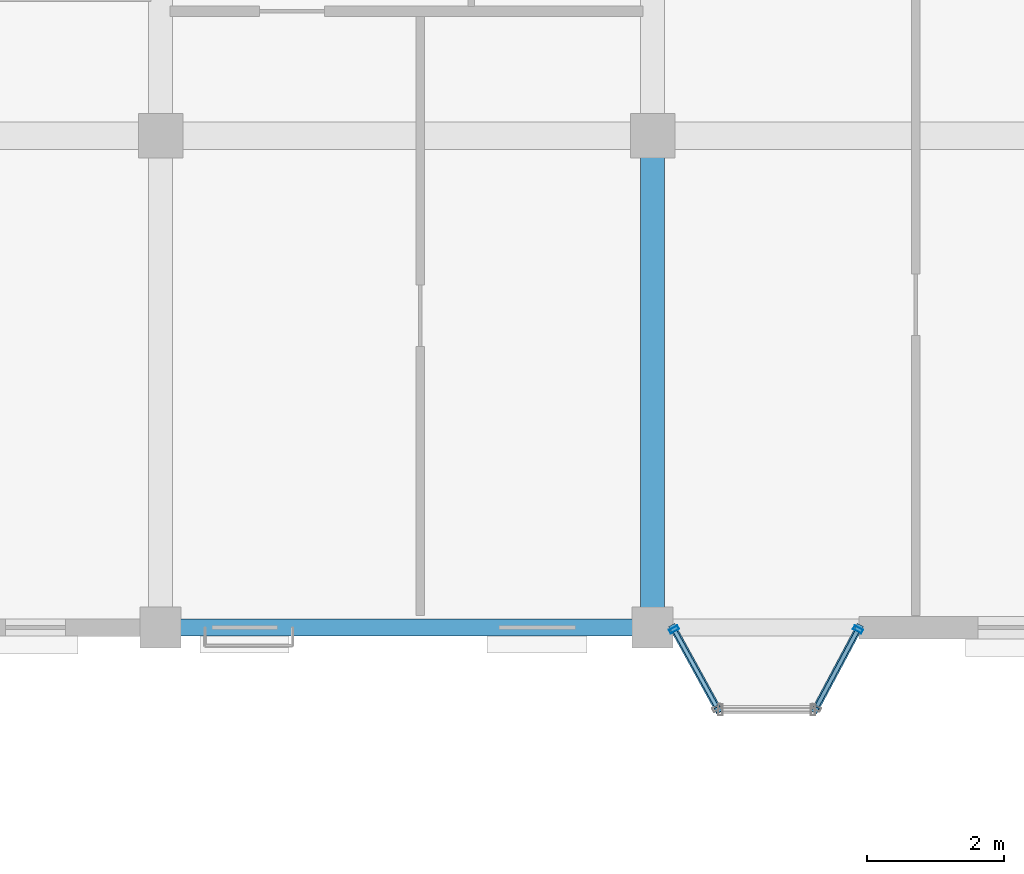
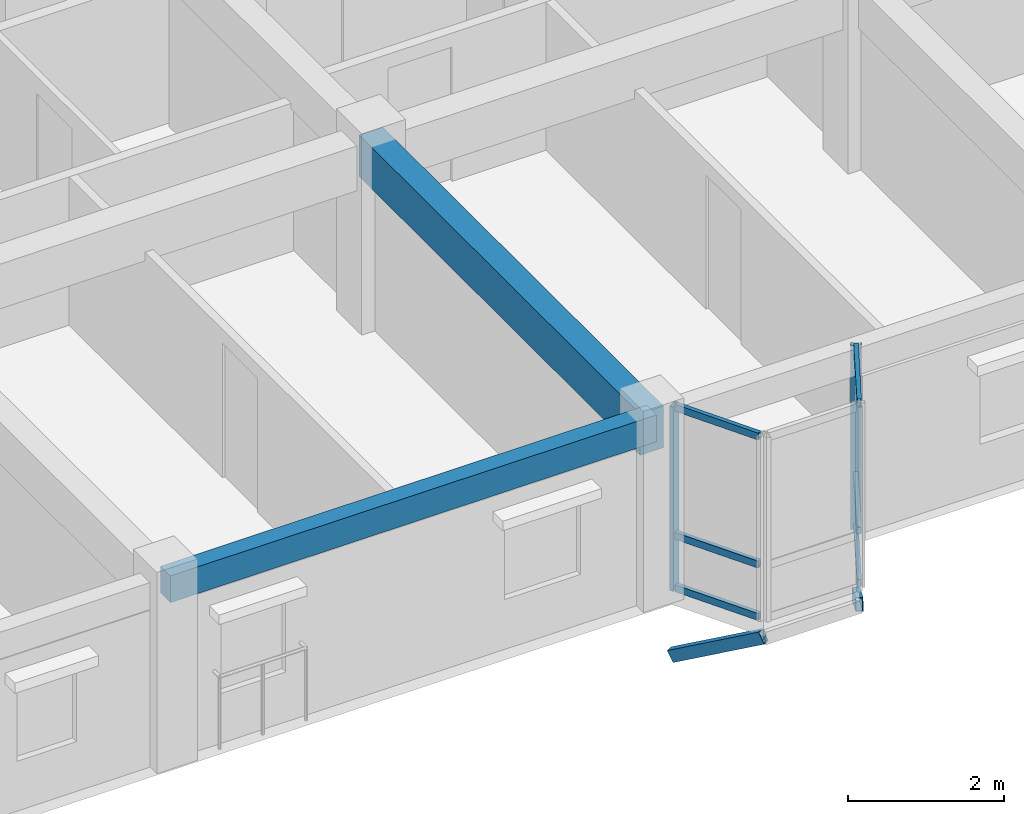
# One storey, part 65 of 124: 10 members, 2 beams, 2 elements without a shape of their own.
"""IFC4 building model written with IfcOpenShell, lengths in metres."""

from ifc_helpers import new_model, si_unit, direction, frame, origin, origin_2d, place, context, subcontext, project, spatial, rectangle, hollow_rectangle, extrude, material, layer, layer_set, material_profile, profile_set, type_object, element, aggregate, save


model = new_model("IFC4")

# Units and contexts
model_context = context("Model", 3, precision=1e-05, world=origin(), true_north=direction((0.0, 1.0)))
body_context = subcontext(model_context, "Body", "Model", "MODEL_VIEW")
ifc_project = project(units=[si_unit("LENGTHUNIT", "METRE"), si_unit("AREAUNIT", "SQUARE_METRE"), si_unit("VOLUMEUNIT", "CUBIC_METRE"), si_unit("PLANEANGLEUNIT", "RADIAN"), si_unit("MASSUNIT", "GRAM", prefix="KILO"), si_unit("THERMODYNAMICTEMPERATUREUNIT", "KELVIN"), si_unit("POWERUNIT", "WATT")], contexts=[model_context])

# Site, building, storey
site_placement = place(None, origin())
site = spatial("IfcSite", under=ifc_project, at=site_placement, CompositionType="ELEMENT")
building_placement = place(site_placement, origin())
building = spatial("IfcBuilding", under=site, at=building_placement, Name="Tavuni Mirador Residences", CompositionType="ELEMENT")
storey_placement = place(building_placement, frame((0.0, 0.0, 7.64990234375)))
storey = spatial("IfcBuildingStorey", under=building, at=storey_placement, Name="L02", CompositionType="ELEMENT", Elevation=7.64990234375)

# Beams
ifc_material_1 = material(Name="Precast concrete C40/50", Category="concrete")
ifc_material_profile_1 = material_profile(ifc_material_1, rectangle(XDim=0.35009765625, YDim=0.64990234375, at=origin_2d()), Name="PC 350x650", Category="concrete")
ifc_profile_set_1 = profile_set([ifc_material_profile_1], Name="Precast concrete C40/50")
beam_type_1 = type_object("IfcBeamType", Name="BT-B650", PredefinedType="BEAM", material=ifc_profile_set_1)
beam_1_placement = place(storey_placement, frame((46.800048828125, 144.0, 2.56005859375), z_axis=(0.0, 1.0, 0.0), x_axis=(-1.0, 0.0, 0.0)))
element("IfcBeam", 1, at=beam_1_placement, inside=storey, type_object=beam_type_1, Name="BMY-BLK-C-L02-05-00", PredefinedType="BEAM", context=body_context, shape_type="SweptSolid", body=[
    extrude(rectangle(XDim=0.35009765625, YDim=0.64990234375, at=origin_2d()), origin(), (0.0, 0.0, 1.0), 7.199951171875),
])
ifc_material_profile_2 = material_profile(ifc_material_1, rectangle(XDim=0.25, YDim=0.419921875, at=origin_2d()), Name="PC 250x420", Category="concrete")
ifc_profile_set_2 = profile_set([ifc_material_profile_2], Name="Precast concrete C40/50")
beam_type_2 = type_object("IfcBeamType", Name="BT-SP420", PredefinedType="SPANDREL", material=ifc_profile_set_2)
beam_2_placement = place(storey_placement, frame((39.60009765625, 144.0, 2.675048828125), z_axis=(1.0, 0.0, 0.0), x_axis=(0.0, 1.0, 0.0)))
element("IfcBeam", 2, at=beam_2_placement, inside=storey, type_object=beam_type_2, Name="BMX-BLK-C-L02-04-00", PredefinedType="SPANDREL", context=body_context, shape_type="SweptSolid", body=[
    extrude(rectangle(XDim=0.25, YDim=0.419921875, at=origin_2d()), origin(), (0.0, 0.0, 1.0), 7.199951171875),
])

# Curtain wall, member
ifc_material_2 = material(Name="Anodised aluminium", Category="aluminium")
ifc_layer_1 = layer(ifc_material_2, 0.175048828125, Name="Anodised aluminium", Category="aluminium")
ifc_layer_set_1 = layer_set([ifc_layer_1], Name="Anodised aluminium")
curtain_wall_type_1 = type_object("IfcCurtainWallType", Name="CWT-MIR-C", PredefinedType="NOTDEFINED", material=ifc_layer_set_1)
curtain_wall_1_placement = place(storey_placement, origin())
curtain_wall_1 = element("IfcCurtainWall", 3, at=curtain_wall_1_placement, inside=storey, type_object=curtain_wall_type_1, Name="CW-MIR-C-S3-L02-M1", PredefinedType="NOTDEFINED")
ifc_material_profile_3 = material_profile(ifc_material_2, hollow_rectangle(XDim=0.06005859375, YDim=0.139892578125, WallThickness=0.00390625, at=origin_2d()), Name="ALU 60x140x4.0", Category="aluminium")
ifc_profile_set_3 = profile_set([ifc_material_profile_3], Name="Anodised aluminium")
member_type_1 = type_object("IfcMemberType", Name="CWM-140", PredefinedType="MULLION", material=ifc_profile_set_3)
member_1_placement = place(storey_placement, frame((47.114501953125, 143.9736328125, 0.0), z_axis=(0.0, 0.0, 1.0), x_axis=(0.481918749773, -0.876215908676, 0.0)))
member_1 = element("IfcMember", 4, at=member_1_placement, type_object=member_type_1, Name="CW-03 mullion 1", PredefinedType="MULLION", context=body_context, shape_type="SweptSolid", body=[
    extrude(hollow_rectangle(XDim=0.06005859375, YDim=0.139892578125, WallThickness=0.00390625, at=origin_2d()), origin(), (0.0, 0.0, 1.0), 2.885009765625),
])

ifc_layer_2 = layer(ifc_material_2, 0.1650390625, Name="Anodised aluminium", Category="aluminium")
ifc_layer_set_2 = layer_set([ifc_layer_2], Name="Anodised aluminium")
curtain_wall_type_2 = type_object("IfcCurtainWallType", Name="CWT-MIR-A", PredefinedType="NOTDEFINED", material=ifc_layer_set_2)
curtain_wall_2_placement = place(storey_placement, origin())
curtain_wall_2 = element("IfcCurtainWall", 5, at=curtain_wall_2_placement, inside=storey, type_object=curtain_wall_type_2, Name="CW-MIR-C-S3-L02-M2", PredefinedType="NOTDEFINED")
member_2_placement = place(storey_placement, frame((49.805908203125, 143.9736328125, 0.0), z_axis=(0.0, 0.0, 1.0), x_axis=(0.470588235296, 0.882352941175, 0.0)))
member_2 = element("IfcMember", 6, at=member_2_placement, type_object=member_type_1, Name="CW-01 mullion 2", PredefinedType="MULLION", context=body_context, shape_type="SweptSolid", body=[
    extrude(hollow_rectangle(XDim=0.06005859375, YDim=0.139892578125, WallThickness=0.00390625, at=origin_2d()), origin(), (0.0, 0.0, 1.0), 2.885009765625),
])

# Member
ifc_material_profile_4 = material_profile(ifc_material_2, hollow_rectangle(XDim=0.06005859375, YDim=0.110107421875, WallThickness=0.00390625, at=origin_2d()), Name="ALU 60x110x4.0", Category="aluminium")
ifc_profile_set_4 = profile_set([ifc_material_profile_4], Name="Anodised aluminium")
member_type_2 = type_object("IfcMemberType", Name="CWT-110", PredefinedType="USERDEFINED", material=ifc_profile_set_4)
member_3_placement = place(storey_placement, frame((47.12890625, 143.947509765625, 0.030029296875), z_axis=(0.481956246695, -0.876195284324, 0.0), x_axis=(0.876195284324, 0.481956246695, 0.0)))
member_3 = element("IfcMember", 7, at=member_3_placement, type_object=member_type_2, Name="CW-03 transom 1.1", ObjectType="TRANSOM", PredefinedType="USERDEFINED", context=body_context, shape_type="SweptSolid", body=[
    extrude(hollow_rectangle(XDim=0.06005859375, YDim=0.110107421875, WallThickness=0.00390625, at=origin_2d()), origin(), (0.0, 0.0, 1.0), 1.249755859375),
])

member_4_placement = place(storey_placement, frame((47.12890625, 143.947509765625, 0.85009765625), z_axis=(0.481956246695, -0.876195284324, 0.0), x_axis=(0.876195284324, 0.481956246695, 0.0)))
member_4 = element("IfcMember", 8, at=member_4_placement, type_object=member_type_2, Name="CW-03 transom 1.2", ObjectType="TRANSOM", PredefinedType="USERDEFINED", context=body_context, shape_type="SweptSolid", body=[
    extrude(hollow_rectangle(XDim=0.06005859375, YDim=0.110107421875, WallThickness=0.00390625, at=origin_2d()), origin(), (0.0, 0.0, 1.0), 1.249755859375),
])

member_5_placement = place(storey_placement, frame((47.12890625, 143.947509765625, 2.85498046875), z_axis=(0.481956246695, -0.876195284324, 0.0), x_axis=(0.876195284324, 0.481956246695, 0.0)))
member_5 = element("IfcMember", 9, at=member_5_placement, type_object=member_type_2, Name="CW-03 transom 1.3", ObjectType="TRANSOM", PredefinedType="USERDEFINED", context=body_context, shape_type="SweptSolid", body=[
    extrude(hollow_rectangle(XDim=0.06005859375, YDim=0.110107421875, WallThickness=0.00390625, at=origin_2d()), origin(), (0.0, 0.0, 1.0), 1.249755859375),
])

aggregate(curtain_wall_1, [member_1, member_3, member_4, member_5])

member_6_placement = place(storey_placement, frame((49.208251953125, 142.85302734375, 0.030029296875), z_axis=(0.470608675382, 0.882342039492, 0.0), x_axis=(-0.882342039492, 0.470608675382, 0.0)))
member_6 = element("IfcMember", 10, at=member_6_placement, type_object=member_type_2, Name="CW-01 transom 1.1", ObjectType="TRANSOM", PredefinedType="USERDEFINED", context=body_context, shape_type="SweptSolid", body=[
    extrude(hollow_rectangle(XDim=0.06005859375, YDim=0.110107421875, WallThickness=0.00390625, at=origin_2d()), origin(), (0.0, 0.0, 1.0), 1.239990234375),
])

member_7_placement = place(storey_placement, frame((49.208251953125, 142.85302734375, 0.85009765625), z_axis=(0.470608675382, 0.882342039492, 0.0), x_axis=(-0.882342039492, 0.470608675382, 0.0)))
member_7 = element("IfcMember", 11, at=member_7_placement, type_object=member_type_2, Name="CW-01 transom 1.2", ObjectType="TRANSOM", PredefinedType="USERDEFINED", context=body_context, shape_type="SweptSolid", body=[
    extrude(hollow_rectangle(XDim=0.06005859375, YDim=0.110107421875, WallThickness=0.00390625, at=origin_2d()), origin(), (0.0, 0.0, 1.0), 1.239990234375),
])

member_8_placement = place(storey_placement, frame((49.208251953125, 142.85302734375, 2.85498046875), z_axis=(0.470608675382, 0.882342039492, 0.0), x_axis=(-0.882342039492, 0.470608675382, 0.0)))
member_8 = element("IfcMember", 12, at=member_8_placement, type_object=member_type_2, Name="CW-01 transom 1.3", ObjectType="TRANSOM", PredefinedType="USERDEFINED", context=body_context, shape_type="SweptSolid", body=[
    extrude(hollow_rectangle(XDim=0.06005859375, YDim=0.110107421875, WallThickness=0.00390625, at=origin_2d()), origin(), (0.0, 0.0, 1.0), 1.239990234375),
])

aggregate(curtain_wall_2, [member_2, member_6, member_7, member_8])

# Members
ifc_material_3 = material(Name="Structural steel S355", Category="steel")
ifc_material_profile_5 = material_profile(ifc_material_3, hollow_rectangle(XDim=0.10009765625, YDim=0.179931640625, WallThickness=0.008056640625, at=origin_2d()), Name="RHS 180x100x8.0", Category="steel")
ifc_profile_set_5 = profile_set([ifc_material_profile_5], Name="Structural steel S355")
member_type_3 = type_object("IfcMemberType", Name="MT-BR-RHS180", PredefinedType="BRACE", material=ifc_profile_set_5)
member_9_placement = place(storey_placement, frame((47.10009765625, 144.0, -1.0498046875), z_axis=(0.4180802733, -0.760216257222, 0.497272689108), x_axis=(0.876234728108, 0.481884531043, 0.0)))
element("IfcMember", 13, at=member_9_placement, inside=storey, type_object=member_type_3, Name="MBRK-MIR-C-S3-L02-1", PredefinedType="BRACE", context=body_context, shape_type="SweptSolid", body=[
    extrude(hollow_rectangle(XDim=0.10009765625, YDim=0.179931640625, WallThickness=0.008056640625, at=origin_2d()), origin(), (0.0, 0.0, 1.0), 1.578369140625),
])
member_10_placement = place(storey_placement, frame((49.820068359375, 144.0, -1.0498046875), z_axis=(-0.407660536563, -0.76416915988, 0.499858361956), x_axis=(0.882303244255, -0.470681405175, 0.0)))
element("IfcMember", 14, at=member_10_placement, inside=storey, type_object=member_type_3, Name="MBRK-MIR-C-S3-L02-2", PredefinedType="BRACE", context=body_context, shape_type="SweptSolid", body=[
    extrude(hollow_rectangle(XDim=0.10009765625, YDim=0.179931640625, WallThickness=0.008056640625, at=origin_2d()), origin(), (0.0, 0.0, 1.0), 1.5703125),
])

save(model, "model.ifc")
